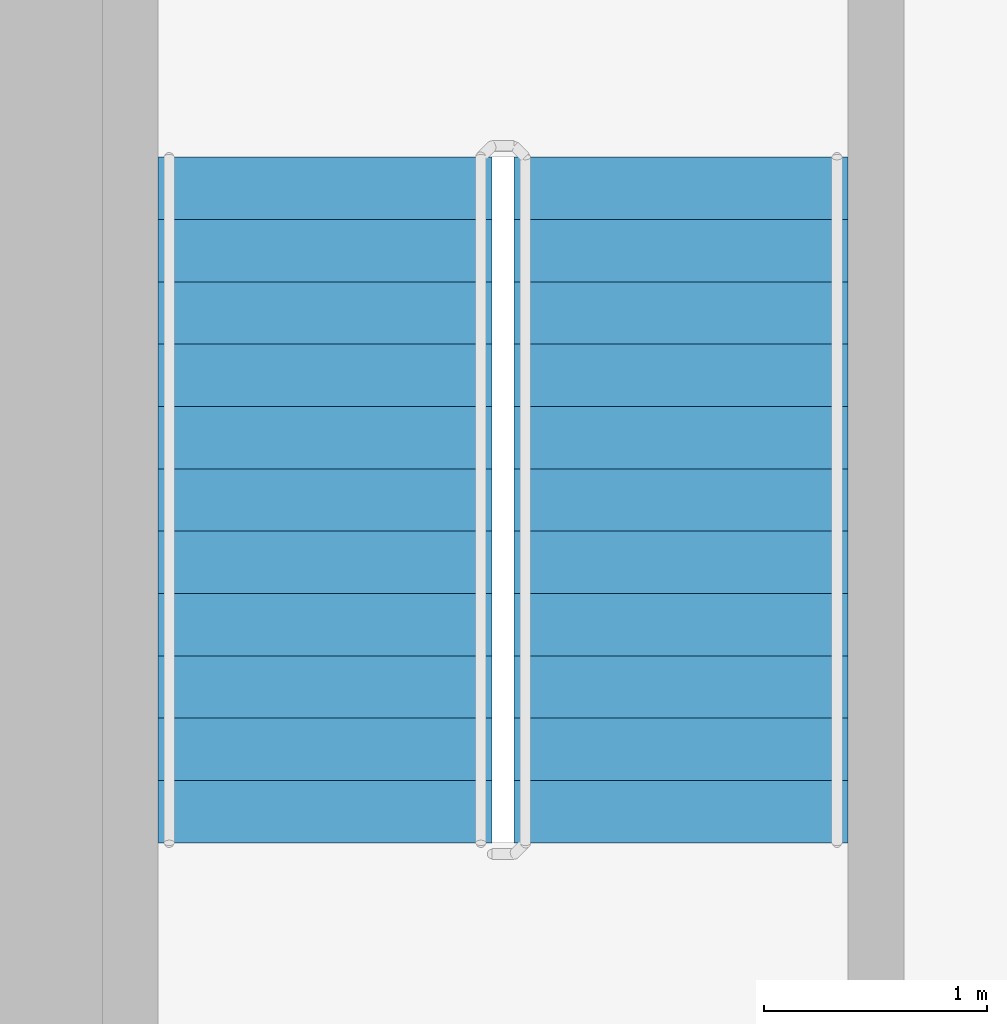
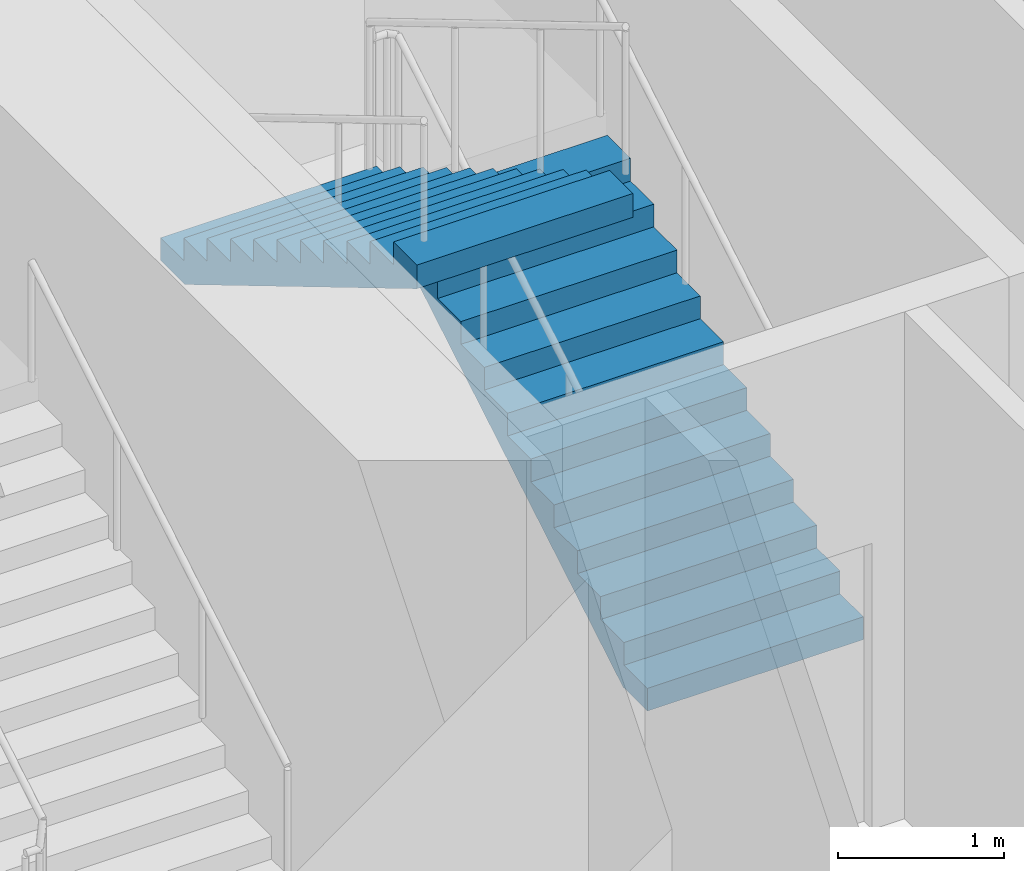
# One storey, part 17 of 27: 2 stair flights, 1 element without a shape of its own.
"""IFC4 building model written with IfcOpenShell, lengths in metres."""

from ifc_helpers import new_model, si_unit, direction, frame, origin, place, context, subcontext, project, spatial, triangles, source, transform, mapped, material, type_object, element, aggregate, save


model = new_model("IFC4")

# Units and contexts
model_context = context("Model", 3, precision=1e-05, world=origin(), true_north=direction((0.0, 1.0)))
body_context = subcontext(model_context, "Body", "Model", "MODEL_VIEW")
ifc_project = project(units=[si_unit("LENGTHUNIT", "METRE"), si_unit("AREAUNIT", "SQUARE_METRE"), si_unit("VOLUMEUNIT", "CUBIC_METRE"), si_unit("PLANEANGLEUNIT", "RADIAN"), si_unit("MASSUNIT", "GRAM", prefix="KILO")], contexts=[model_context])

# Site, building, storey
site_placement = place(None, origin())
site = spatial("IfcSite", under=ifc_project, at=site_placement, CompositionType="ELEMENT")
building_placement = place(site_placement, origin())
building = spatial("IfcBuilding", under=site, at=building_placement, Name="Kilnfold Tower and Market Hall", CompositionType="ELEMENT")
storey_placement = place(building_placement, frame((0.0, 0.0, 47.0)))
storey = spatial("IfcBuildingStorey", under=building, at=storey_placement, Name="L10", CompositionType="ELEMENT", Elevation=47.0)

# Stair, stair flights
ifc_material_1 = material(Name="Concrete C40/50", Category="concrete")
stair_type = type_object("IfcStairType", Name="CORE STAIR 1500", PredefinedType="HALF_TURN_STAIR", material=ifc_material_1)
stair_placement = place(storey_placement, origin())
stair = element("IfcStair", 1, at=stair_placement, inside=storey, type_object=stair_type, Name="L10 ST5", PredefinedType="HALF_TURN_STAIR")
ifc_material_2 = material(Name="Concrete C40/50", Category="concrete")
stair_flight_type = type_object("IfcStairFlightType", Name="CORE STAIR FLIGHT 1500", PredefinedType="STRAIGHT", material=ifc_material_2)
shared_shape = source(origin(), body_context, "Body", "Tessellation", [
    triangles([(0.0, 0.75, 0.0), (0.0, 0.65625, 0.0), (0.0, 0.5625, 0.0), (0.0, 0.46875, 0.0), (0.0, 0.375, 0.0), (0.0, 0.28125, 0.0), (0.0, 0.1875, 0.0), (0.0, 0.09375, 0.0), (0.0, 0.0, 0.0), (0.0, -0.09375, 0.0), (0.0, -0.1875, 0.0), (0.0, -0.28125, 0.0), (0.0, -0.375, 0.0), (0.0, -0.46875, 0.0), (0.0, -0.5625, 0.0), (0.0, -0.65625, 0.0), (0.0, -0.75, 0.0), (0.0, 0.75, 0.166748046875), (0.0, 0.65625, 0.166748046875), (0.0, 0.5625, 0.166748046875), (0.0, 0.46875, 0.166748046875), (0.0, 0.375, 0.166748046875), (0.0, 0.28125, 0.166748046875), (0.0, 0.1875, 0.166748046875), (0.0, 0.09375, 0.166748046875), (0.0, 0.0, 0.166748046875), (0.0, -0.09375, 0.166748046875), (0.0, -0.1875, 0.166748046875), (0.0, -0.28125, 0.166748046875), (0.0, -0.375, 0.166748046875), (0.0, -0.46875, 0.166748046875), (0.0, -0.5625, 0.166748046875), (0.0, -0.65625, 0.166748046875), (0.0, -0.75, 0.166748046875), (0.280029296875, 0.75, 0.166748046875), (0.280029296875, 0.65625, 0.166748046875), (0.280029296875, 0.5625, 0.166748046875), (0.280029296875, 0.46875, 0.166748046875), (0.280029296875, 0.375, 0.166748046875), (0.280029296875, 0.28125, 0.166748046875), (0.280029296875, 0.1875, 0.166748046875), (0.280029296875, 0.09375, 0.166748046875), (0.280029296875, 0.0, 0.166748046875), (0.280029296875, -0.09375, 0.166748046875), (0.280029296875, -0.1875, 0.166748046875), (0.280029296875, -0.28125, 0.166748046875), (0.280029296875, -0.375, 0.166748046875), (0.280029296875, -0.46875, 0.166748046875), (0.280029296875, -0.5625, 0.166748046875), (0.280029296875, -0.65625, 0.166748046875), (0.280029296875, -0.75, 0.166748046875), (0.280029296875, 0.75, 0.333251953125), (0.280029296875, 0.65625, 0.333251953125), (0.280029296875, 0.5625, 0.333251953125), (0.280029296875, 0.46875, 0.333251953125), (0.280029296875, 0.375, 0.333251953125), (0.280029296875, 0.28125, 0.333251953125), (0.280029296875, 0.1875, 0.333251953125), (0.280029296875, 0.09375, 0.333251953125), (0.280029296875, 0.0, 0.333251953125), (0.280029296875, -0.09375, 0.333251953125), (0.280029296875, -0.1875, 0.333251953125), (0.280029296875, -0.28125, 0.333251953125), (0.280029296875, -0.375, 0.333251953125), (0.280029296875, -0.46875, 0.333251953125), (0.280029296875, -0.5625, 0.333251953125), (0.280029296875, -0.65625, 0.333251953125), (0.280029296875, -0.75, 0.333251953125), (0.56005859375, 0.75, 0.333251953125), (0.56005859375, 0.65625, 0.333251953125), (0.56005859375, 0.5625, 0.333251953125), (0.56005859375, 0.46875, 0.333251953125), (0.56005859375, 0.375, 0.333251953125), (0.56005859375, 0.28125, 0.333251953125), (0.56005859375, 0.1875, 0.333251953125), (0.56005859375, 0.09375, 0.333251953125), (0.56005859375, 0.0, 0.333251953125), (0.56005859375, -0.09375, 0.333251953125), (0.56005859375, -0.1875, 0.333251953125), (0.56005859375, -0.28125, 0.333251953125), (0.56005859375, -0.375, 0.333251953125), (0.56005859375, -0.46875, 0.333251953125), (0.56005859375, -0.5625, 0.333251953125), (0.56005859375, -0.65625, 0.333251953125), (0.56005859375, -0.75, 0.333251953125), (0.56005859375, 0.75, 0.5), (0.56005859375, 0.65625, 0.5), (0.56005859375, 0.5625, 0.5), (0.56005859375, 0.46875, 0.5), (0.56005859375, 0.375, 0.5), (0.56005859375, 0.28125, 0.5), (0.56005859375, 0.1875, 0.5), (0.56005859375, 0.09375, 0.5), (0.56005859375, 0.0, 0.5), (0.56005859375, -0.09375, 0.5), (0.56005859375, -0.1875, 0.5), (0.56005859375, -0.28125, 0.5), (0.56005859375, -0.375, 0.5), (0.56005859375, -0.46875, 0.5), (0.56005859375, -0.5625, 0.5), (0.56005859375, -0.65625, 0.5), (0.56005859375, -0.75, 0.5), (0.840087890625, 0.75, 0.5), (0.840087890625, 0.65625, 0.5), (0.840087890625, 0.5625, 0.5), (0.840087890625, 0.46875, 0.5), (0.840087890625, 0.375, 0.5), (0.840087890625, 0.28125, 0.5), (0.840087890625, 0.1875, 0.5), (0.840087890625, 0.09375, 0.5), (0.840087890625, 0.0, 0.5), (0.840087890625, -0.09375, 0.5), (0.840087890625, -0.1875, 0.5), (0.840087890625, -0.28125, 0.5), (0.840087890625, -0.375, 0.5), (0.840087890625, -0.46875, 0.5), (0.840087890625, -0.5625, 0.5), (0.840087890625, -0.65625, 0.5), (0.840087890625, -0.75, 0.5), (0.840087890625, 0.75, 0.666748046875), (0.840087890625, 0.65625, 0.666748046875), (0.840087890625, 0.5625, 0.666748046875), (0.840087890625, 0.46875, 0.666748046875), (0.840087890625, 0.375, 0.666748046875), (0.840087890625, 0.28125, 0.666748046875), (0.840087890625, 0.1875, 0.666748046875), (0.840087890625, 0.09375, 0.666748046875), (0.840087890625, 0.0, 0.666748046875), (0.840087890625, -0.09375, 0.666748046875), (0.840087890625, -0.1875, 0.666748046875), (0.840087890625, -0.28125, 0.666748046875), (0.840087890625, -0.375, 0.666748046875), (0.840087890625, -0.46875, 0.666748046875), (0.840087890625, -0.5625, 0.666748046875), (0.840087890625, -0.65625, 0.666748046875), (0.840087890625, -0.75, 0.666748046875), (1.1201171875, 0.75, 0.666748046875), (1.1201171875, 0.65625, 0.666748046875), (1.1201171875, 0.5625, 0.666748046875), (1.1201171875, 0.46875, 0.666748046875), (1.1201171875, 0.375, 0.666748046875), (1.1201171875, 0.28125, 0.666748046875), (1.1201171875, 0.1875, 0.666748046875), (1.1201171875, 0.09375, 0.666748046875), (1.1201171875, 0.0, 0.666748046875), (1.1201171875, -0.09375, 0.666748046875), (1.1201171875, -0.1875, 0.666748046875), (1.1201171875, -0.28125, 0.666748046875), (1.1201171875, -0.375, 0.666748046875), (1.1201171875, -0.46875, 0.666748046875), (1.1201171875, -0.5625, 0.666748046875), (1.1201171875, -0.65625, 0.666748046875), (1.1201171875, -0.75, 0.666748046875), (1.1201171875, 0.75, 0.833251953125), (1.1201171875, 0.65625, 0.833251953125), (1.1201171875, 0.5625, 0.833251953125), (1.1201171875, 0.46875, 0.833251953125), (1.1201171875, 0.375, 0.833251953125), (1.1201171875, 0.28125, 0.833251953125), (1.1201171875, 0.1875, 0.833251953125), (1.1201171875, 0.09375, 0.833251953125), (1.1201171875, 0.0, 0.833251953125), (1.1201171875, -0.09375, 0.833251953125), (1.1201171875, -0.1875, 0.833251953125), (1.1201171875, -0.28125, 0.833251953125), (1.1201171875, -0.375, 0.833251953125), (1.1201171875, -0.46875, 0.833251953125), (1.1201171875, -0.5625, 0.833251953125), (1.1201171875, -0.65625, 0.833251953125), (1.1201171875, -0.75, 0.833251953125), (1.39990234375, 0.75, 0.833251953125), (1.39990234375, 0.65625, 0.833251953125), (1.39990234375, 0.5625, 0.833251953125), (1.39990234375, 0.46875, 0.833251953125), (1.39990234375, 0.375, 0.833251953125), (1.39990234375, 0.28125, 0.833251953125), (1.39990234375, 0.1875, 0.833251953125), (1.39990234375, 0.09375, 0.833251953125), (1.39990234375, 0.0, 0.833251953125), (1.39990234375, -0.09375, 0.833251953125), (1.39990234375, -0.1875, 0.833251953125), (1.39990234375, -0.28125, 0.833251953125), (1.39990234375, -0.375, 0.833251953125), (1.39990234375, -0.46875, 0.833251953125), (1.39990234375, -0.5625, 0.833251953125), (1.39990234375, -0.65625, 0.833251953125), (1.39990234375, -0.75, 0.833251953125), (1.39990234375, 0.75, 1.0), (1.39990234375, 0.65625, 1.0), (1.39990234375, 0.5625, 1.0), (1.39990234375, 0.46875, 1.0), (1.39990234375, 0.375, 1.0), (1.39990234375, 0.28125, 1.0), (1.39990234375, 0.1875, 1.0), (1.39990234375, 0.09375, 1.0), (1.39990234375, 0.0, 1.0), (1.39990234375, -0.09375, 1.0), (1.39990234375, -0.1875, 1.0), (1.39990234375, -0.28125, 1.0), (1.39990234375, -0.375, 1.0), (1.39990234375, -0.46875, 1.0), (1.39990234375, -0.5625, 1.0), (1.39990234375, -0.65625, 1.0), (1.39990234375, -0.75, 1.0), (1.679931640625, 0.75, 1.0), (1.679931640625, 0.65625, 1.0), (1.679931640625, 0.5625, 1.0), (1.679931640625, 0.46875, 1.0), (1.679931640625, 0.375, 1.0), (1.679931640625, 0.28125, 1.0), (1.679931640625, 0.1875, 1.0), (1.679931640625, 0.09375, 1.0), (1.679931640625, 0.0, 1.0), (1.679931640625, -0.09375, 1.0), (1.679931640625, -0.1875, 1.0), (1.679931640625, -0.28125, 1.0), (1.679931640625, -0.375, 1.0), (1.679931640625, -0.46875, 1.0), (1.679931640625, -0.5625, 1.0), (1.679931640625, -0.65625, 1.0), (1.679931640625, -0.75, 1.0), (1.679931640625, 0.75, 1.166748046875), (1.679931640625, 0.65625, 1.166748046875), (1.679931640625, 0.5625, 1.166748046875), (1.679931640625, 0.46875, 1.166748046875), (1.679931640625, 0.375, 1.166748046875), (1.679931640625, 0.28125, 1.166748046875), (1.679931640625, 0.1875, 1.166748046875), (1.679931640625, 0.09375, 1.166748046875), (1.679931640625, 0.0, 1.166748046875), (1.679931640625, -0.09375, 1.166748046875), (1.679931640625, -0.1875, 1.166748046875), (1.679931640625, -0.28125, 1.166748046875), (1.679931640625, -0.375, 1.166748046875), (1.679931640625, -0.46875, 1.166748046875), (1.679931640625, -0.5625, 1.166748046875), (1.679931640625, -0.65625, 1.166748046875), (1.679931640625, -0.75, 1.166748046875), (1.9599609375, 0.75, 1.166748046875), (1.9599609375, 0.65625, 1.166748046875), (1.9599609375, 0.5625, 1.166748046875), (1.9599609375, 0.46875, 1.166748046875), (1.9599609375, 0.375, 1.166748046875), (1.9599609375, 0.28125, 1.166748046875), (1.9599609375, 0.1875, 1.166748046875), (1.9599609375, 0.09375, 1.166748046875), (1.9599609375, 0.0, 1.166748046875), (1.9599609375, -0.09375, 1.166748046875), (1.9599609375, -0.1875, 1.166748046875), (1.9599609375, -0.28125, 1.166748046875), (1.9599609375, -0.375, 1.166748046875), (1.9599609375, -0.46875, 1.166748046875), (1.9599609375, -0.5625, 1.166748046875), (1.9599609375, -0.65625, 1.166748046875), (1.9599609375, -0.75, 1.166748046875), (1.9599609375, 0.75, 1.333251953125), (1.9599609375, 0.65625, 1.333251953125), (1.9599609375, 0.5625, 1.333251953125), (1.9599609375, 0.46875, 1.333251953125), (1.9599609375, 0.375, 1.333251953125), (1.9599609375, 0.28125, 1.333251953125), (1.9599609375, 0.1875, 1.333251953125), (1.9599609375, 0.09375, 1.333251953125), (1.9599609375, 0.0, 1.333251953125), (1.9599609375, -0.09375, 1.333251953125), (1.9599609375, -0.1875, 1.333251953125), (1.9599609375, -0.28125, 1.333251953125), (1.9599609375, -0.375, 1.333251953125), (1.9599609375, -0.46875, 1.333251953125), (1.9599609375, -0.5625, 1.333251953125), (1.9599609375, -0.65625, 1.333251953125), (1.9599609375, -0.75, 1.333251953125), (2.239990234375, 0.75, 1.333251953125), (2.239990234375, 0.65625, 1.333251953125), (2.239990234375, 0.5625, 1.333251953125), (2.239990234375, 0.46875, 1.333251953125), (2.239990234375, 0.375, 1.333251953125), (2.239990234375, 0.28125, 1.333251953125), (2.239990234375, 0.1875, 1.333251953125), (2.239990234375, 0.09375, 1.333251953125), (2.239990234375, 0.0, 1.333251953125), (2.239990234375, -0.09375, 1.333251953125), (2.239990234375, -0.1875, 1.333251953125), (2.239990234375, -0.28125, 1.333251953125), (2.239990234375, -0.375, 1.333251953125), (2.239990234375, -0.46875, 1.333251953125), (2.239990234375, -0.5625, 1.333251953125), (2.239990234375, -0.65625, 1.333251953125), (2.239990234375, -0.75, 1.333251953125), (2.239990234375, 0.75, 1.5), (2.239990234375, 0.65625, 1.5), (2.239990234375, 0.5625, 1.5), (2.239990234375, 0.46875, 1.5), (2.239990234375, 0.375, 1.5), (2.239990234375, 0.28125, 1.5), (2.239990234375, 0.1875, 1.5), (2.239990234375, 0.09375, 1.5), (2.239990234375, 0.0, 1.5), (2.239990234375, -0.09375, 1.5), (2.239990234375, -0.1875, 1.5), (2.239990234375, -0.28125, 1.5), (2.239990234375, -0.375, 1.5), (2.239990234375, -0.46875, 1.5), (2.239990234375, -0.5625, 1.5), (2.239990234375, -0.65625, 1.5), (2.239990234375, -0.75, 1.5), (2.52001953125, 0.75, 1.5), (2.52001953125, 0.65625, 1.5), (2.52001953125, 0.5625, 1.5), (2.52001953125, 0.46875, 1.5), (2.52001953125, 0.375, 1.5), (2.52001953125, 0.28125, 1.5), (2.52001953125, 0.1875, 1.5), (2.52001953125, 0.09375, 1.5), (2.52001953125, 0.0, 1.5), (2.52001953125, -0.09375, 1.5), (2.52001953125, -0.1875, 1.5), (2.52001953125, -0.28125, 1.5), (2.52001953125, -0.375, 1.5), (2.52001953125, -0.46875, 1.5), (2.52001953125, -0.5625, 1.5), (2.52001953125, -0.65625, 1.5), (2.52001953125, -0.75, 1.5), (2.52001953125, 0.75, 1.666748046875), (2.52001953125, 0.65625, 1.666748046875), (2.52001953125, 0.5625, 1.666748046875), (2.52001953125, 0.46875, 1.666748046875), (2.52001953125, 0.375, 1.666748046875), (2.52001953125, 0.28125, 1.666748046875), (2.52001953125, 0.1875, 1.666748046875), (2.52001953125, 0.09375, 1.666748046875), (2.52001953125, 0.0, 1.666748046875), (2.52001953125, -0.09375, 1.666748046875), (2.52001953125, -0.1875, 1.666748046875), (2.52001953125, -0.28125, 1.666748046875), (2.52001953125, -0.375, 1.666748046875), (2.52001953125, -0.46875, 1.666748046875), (2.52001953125, -0.5625, 1.666748046875), (2.52001953125, -0.65625, 1.666748046875), (2.52001953125, -0.75, 1.666748046875), (2.800048828125, 0.75, 1.666748046875), (2.800048828125, 0.65625, 1.666748046875), (2.800048828125, 0.5625, 1.666748046875), (2.800048828125, 0.46875, 1.666748046875), (2.800048828125, 0.375, 1.666748046875), (2.800048828125, 0.28125, 1.666748046875), (2.800048828125, 0.1875, 1.666748046875), (2.800048828125, 0.09375, 1.666748046875), (2.800048828125, 0.0, 1.666748046875), (2.800048828125, -0.09375, 1.666748046875), (2.800048828125, -0.1875, 1.666748046875), (2.800048828125, -0.28125, 1.666748046875), (2.800048828125, -0.375, 1.666748046875), (2.800048828125, -0.46875, 1.666748046875), (2.800048828125, -0.5625, 1.666748046875), (2.800048828125, -0.65625, 1.666748046875), (2.800048828125, -0.75, 1.666748046875), (2.800048828125, 0.75, 1.833251953125), (2.800048828125, 0.65625, 1.833251953125), (2.800048828125, 0.5625, 1.833251953125), (2.800048828125, 0.46875, 1.833251953125), (2.800048828125, 0.375, 1.833251953125), (2.800048828125, 0.28125, 1.833251953125), (2.800048828125, 0.1875, 1.833251953125), (2.800048828125, 0.09375, 1.833251953125), (2.800048828125, 0.0, 1.833251953125), (2.800048828125, -0.09375, 1.833251953125), (2.800048828125, -0.1875, 1.833251953125), (2.800048828125, -0.28125, 1.833251953125), (2.800048828125, -0.375, 1.833251953125), (2.800048828125, -0.46875, 1.833251953125), (2.800048828125, -0.5625, 1.833251953125), (2.800048828125, -0.65625, 1.833251953125), (2.800048828125, -0.75, 1.833251953125), (3.080078125, 0.75, 1.833251953125), (3.080078125, 0.65625, 1.833251953125), (3.080078125, 0.5625, 1.833251953125), (3.080078125, 0.46875, 1.833251953125), (3.080078125, 0.375, 1.833251953125), (3.080078125, 0.28125, 1.833251953125), (3.080078125, 0.1875, 1.833251953125), (3.080078125, 0.09375, 1.833251953125), (3.080078125, 0.0, 1.833251953125), (3.080078125, -0.09375, 1.833251953125), (3.080078125, -0.1875, 1.833251953125), (3.080078125, -0.28125, 1.833251953125), (3.080078125, -0.375, 1.833251953125), (3.080078125, -0.46875, 1.833251953125), (3.080078125, -0.5625, 1.833251953125), (3.080078125, -0.65625, 1.833251953125), (3.080078125, -0.75, 1.833251953125), (3.080078125, 0.75, 1.658935546875), (3.080078125, 0.65625, 1.658935546875), (3.080078125, 0.5625, 1.658935546875), (3.080078125, 0.46875, 1.658935546875), (3.080078125, 0.375, 1.658935546875), (3.080078125, 0.28125, 1.658935546875), (3.080078125, 0.1875, 1.658935546875), (3.080078125, 0.09375, 1.658935546875), (3.080078125, 0.0, 1.658935546875), (3.080078125, -0.09375, 1.658935546875), (3.080078125, -0.1875, 1.658935546875), (3.080078125, -0.28125, 1.658935546875), (3.080078125, -0.375, 1.658935546875), (3.080078125, -0.46875, 1.658935546875), (3.080078125, -0.5625, 1.658935546875), (3.080078125, -0.65625, 1.658935546875), (3.080078125, -0.75, 1.658935546875), (0.29296875, 0.75, 0.0), (0.29296875, 0.65625, 0.0), (0.29296875, 0.5625, 0.0), (0.29296875, 0.46875, 0.0), (0.29296875, 0.375, 0.0), (0.29296875, 0.28125, 0.0), (0.29296875, 0.1875, 0.0), (0.29296875, 0.09375, 0.0), (0.29296875, 0.0, 0.0), (0.29296875, -0.09375, 0.0), (0.29296875, -0.1875, 0.0), (0.29296875, -0.28125, 0.0), (0.29296875, -0.375, 0.0), (0.29296875, -0.46875, 0.0), (0.29296875, -0.5625, 0.0), (0.29296875, -0.65625, 0.0), (0.29296875, -0.75, 0.0)], [[1, 392, 409], [17, 425, 408], [392, 358, 375], [408, 391, 374], [392, 341, 358], [408, 374, 357], [392, 324, 341], [408, 357, 340], [392, 307, 324], [408, 340, 323], [307, 273, 290], [323, 306, 289], [392, 273, 307], [408, 323, 289], [273, 239, 256], [289, 272, 255], [392, 239, 273], [408, 289, 255], [239, 205, 222], [255, 238, 221], [392, 205, 239], [408, 255, 221], [205, 171, 188], [221, 204, 187], [392, 171, 205], [408, 221, 187], [171, 137, 154], [187, 170, 153], [392, 137, 171], [408, 187, 153], [137, 103, 120], [153, 136, 119], [392, 103, 137], [408, 153, 119], [103, 69, 86], [119, 102, 85], [392, 69, 103], [408, 119, 85], [1, 69, 392], [17, 408, 85], [69, 35, 52], [85, 68, 51], [1, 35, 69], [17, 85, 51], [35, 1, 18], [51, 34, 17], [1, 19, 18], [1, 2, 19], [2, 20, 19], [2, 3, 20], [3, 21, 20], [3, 4, 21], [4, 22, 21], [4, 5, 22], [5, 23, 22], [5, 6, 23], [6, 24, 23], [6, 7, 24], [7, 25, 24], [7, 8, 25], [8, 26, 25], [8, 9, 26], [9, 27, 26], [9, 10, 27], [10, 28, 27], [10, 11, 28], [11, 29, 28], [11, 12, 29], [12, 30, 29], [12, 13, 30], [13, 31, 30], [13, 14, 31], [14, 32, 31], [14, 15, 32], [15, 33, 32], [15, 16, 33], [16, 34, 33], [16, 17, 34], [18, 36, 35], [18, 19, 36], [19, 37, 36], [19, 20, 37], [20, 38, 37], [20, 21, 38], [21, 39, 38], [21, 22, 39], [22, 40, 39], [22, 23, 40], [23, 41, 40], [23, 24, 41], [24, 42, 41], [24, 25, 42], [25, 43, 42], [25, 26, 43], [26, 44, 43], [26, 27, 44], [27, 45, 44], [27, 28, 45], [28, 46, 45], [28, 29, 46], [29, 47, 46], [29, 30, 47], [30, 48, 47], [30, 31, 48], [31, 49, 48], [31, 32, 49], [32, 50, 49], [32, 33, 50], [33, 51, 50], [33, 34, 51], [35, 53, 52], [35, 36, 53], [36, 54, 53], [36, 37, 54], [37, 55, 54], [37, 38, 55], [38, 56, 55], [38, 39, 56], [39, 57, 56], [39, 40, 57], [40, 58, 57], [40, 41, 58], [41, 59, 58], [41, 42, 59], [42, 60, 59], [42, 43, 60], [43, 61, 60], [43, 44, 61], [44, 62, 61], [44, 45, 62], [45, 63, 62], [45, 46, 63], [46, 64, 63], [46, 47, 64], [47, 65, 64], [47, 48, 65], [48, 66, 65], [48, 49, 66], [49, 67, 66], [49, 50, 67], [50, 68, 67], [50, 51, 68], [52, 70, 69], [52, 53, 70], [53, 71, 70], [53, 54, 71], [54, 72, 71], [54, 55, 72], [55, 73, 72], [55, 56, 73], [56, 74, 73], [56, 57, 74], [57, 75, 74], [57, 58, 75], [58, 76, 75], [58, 59, 76], [59, 77, 76], [59, 60, 77], [60, 78, 77], [60, 61, 78], [61, 79, 78], [61, 62, 79], [62, 80, 79], [62, 63, 80], [63, 81, 80], [63, 64, 81], [64, 82, 81], [64, 65, 82], [65, 83, 82], [65, 66, 83], [66, 84, 83], [66, 67, 84], [67, 85, 84], [67, 68, 85], [69, 87, 86], [69, 70, 87], [70, 88, 87], [70, 71, 88], [71, 89, 88], [71, 72, 89], [72, 90, 89], [72, 73, 90], [73, 91, 90], [73, 74, 91], [74, 92, 91], [74, 75, 92], [75, 93, 92], [75, 76, 93], [76, 94, 93], [76, 77, 94], [77, 95, 94], [77, 78, 95], [78, 96, 95], [78, 79, 96], [79, 97, 96], [79, 80, 97], [80, 98, 97], [80, 81, 98], [81, 99, 98], [81, 82, 99], [82, 100, 99], [82, 83, 100], [83, 101, 100], [83, 84, 101], [84, 102, 101], [84, 85, 102], [86, 104, 103], [86, 87, 104], [87, 105, 104], [87, 88, 105], [88, 106, 105], [88, 89, 106], [89, 107, 106], [89, 90, 107], [90, 108, 107], [90, 91, 108], [91, 109, 108], [91, 92, 109], [92, 110, 109], [92, 93, 110], [93, 111, 110], [93, 94, 111], [94, 112, 111], [94, 95, 112], [95, 113, 112], [95, 96, 113], [96, 114, 113], [96, 97, 114], [97, 115, 114], [97, 98, 115], [98, 116, 115], [98, 99, 116], [99, 117, 116], [99, 100, 117], [100, 118, 117], [100, 101, 118], [101, 119, 118], [101, 102, 119], [103, 121, 120], [103, 104, 121], [104, 122, 121], [104, 105, 122], [105, 123, 122], [105, 106, 123], [106, 124, 123], [106, 107, 124], [107, 125, 124], [107, 108, 125], [108, 126, 125], [108, 109, 126], [109, 127, 126], [109, 110, 127], [110, 128, 127], [110, 111, 128], [111, 129, 128], [111, 112, 129], [112, 130, 129], [112, 113, 130], [113, 131, 130], [113, 114, 131], [114, 132, 131], [114, 115, 132], [115, 133, 132], [115, 116, 133], [116, 134, 133], [116, 117, 134], [117, 135, 134], [117, 118, 135], [118, 136, 135], [118, 119, 136], [120, 138, 137], [120, 121, 138], [121, 139, 138], [121, 122, 139], [122, 140, 139], [122, 123, 140], [123, 141, 140], [123, 124, 141], [124, 142, 141], [124, 125, 142], [125, 143, 142], [125, 126, 143], [126, 144, 143], [126, 127, 144], [127, 145, 144], [127, 128, 145], [128, 146, 145], [128, 129, 146], [129, 147, 146], [129, 130, 147], [130, 148, 147], [130, 131, 148], [131, 149, 148], [131, 132, 149], [132, 150, 149], [132, 133, 150], [133, 151, 150], [133, 134, 151], [134, 152, 151], [134, 135, 152], [135, 153, 152], [135, 136, 153], [137, 155, 154], [137, 138, 155], [138, 156, 155], [138, 139, 156], [139, 157, 156], [139, 140, 157], [140, 158, 157], [140, 141, 158], [141, 159, 158], [141, 142, 159], [142, 160, 159], [142, 143, 160], [143, 161, 160], [143, 144, 161], [144, 162, 161], [144, 145, 162], [145, 163, 162], [145, 146, 163], [146, 164, 163], [146, 147, 164], [147, 165, 164], [147, 148, 165], [148, 166, 165], [148, 149, 166], [149, 167, 166], [149, 150, 167], [150, 168, 167], [150, 151, 168], [151, 169, 168], [151, 152, 169], [152, 170, 169], [152, 153, 170], [154, 172, 171], [154, 155, 172], [155, 173, 172], [155, 156, 173], [156, 174, 173], [156, 157, 174], [157, 175, 174], [157, 158, 175], [158, 176, 175], [158, 159, 176], [159, 177, 176], [159, 160, 177], [160, 178, 177], [160, 161, 178], [161, 179, 178], [161, 162, 179], [162, 180, 179], [162, 163, 180], [163, 181, 180], [163, 164, 181], [164, 182, 181], [164, 165, 182], [165, 183, 182], [165, 166, 183], [166, 184, 183], [166, 167, 184], [167, 185, 184], [167, 168, 185], [168, 186, 185], [168, 169, 186], [169, 187, 186], [169, 170, 187], [171, 189, 188], [171, 172, 189], [172, 190, 189], [172, 173, 190], [173, 191, 190], [173, 174, 191], [174, 192, 191], [174, 175, 192], [175, 193, 192], [175, 176, 193], [176, 194, 193], [176, 177, 194], [177, 195, 194], [177, 178, 195], [178, 196, 195], [178, 179, 196], [179, 197, 196], [179, 180, 197], [180, 198, 197], [180, 181, 198], [181, 199, 198], [181, 182, 199], [182, 200, 199], [182, 183, 200], [183, 201, 200], [183, 184, 201], [184, 202, 201], [184, 185, 202], [185, 203, 202], [185, 186, 203], [186, 204, 203], [186, 187, 204], [188, 206, 205], [188, 189, 206], [189, 207, 206], [189, 190, 207], [190, 208, 207], [190, 191, 208], [191, 209, 208], [191, 192, 209], [192, 210, 209], [192, 193, 210], [193, 211, 210], [193, 194, 211], [194, 212, 211], [194, 195, 212], [195, 213, 212], [195, 196, 213], [196, 214, 213], [196, 197, 214], [197, 215, 214], [197, 198, 215], [198, 216, 215], [198, 199, 216], [199, 217, 216], [199, 200, 217], [200, 218, 217], [200, 201, 218], [201, 219, 218], [201, 202, 219], [202, 220, 219], [202, 203, 220], [203, 221, 220], [203, 204, 221], [205, 223, 222], [205, 206, 223], [206, 224, 223], [206, 207, 224], [207, 225, 224], [207, 208, 225], [208, 226, 225], [208, 209, 226], [209, 227, 226], [209, 210, 227], [210, 228, 227], [210, 211, 228], [211, 229, 228], [211, 212, 229], [212, 230, 229], [212, 213, 230], [213, 231, 230], [213, 214, 231], [214, 232, 231], [214, 215, 232], [215, 233, 232], [215, 216, 233], [216, 234, 233], [216, 217, 234], [217, 235, 234], [217, 218, 235], [218, 236, 235], [218, 219, 236], [219, 237, 236], [219, 220, 237], [220, 238, 237], [220, 221, 238], [222, 240, 239], [222, 223, 240], [223, 241, 240], [223, 224, 241], [224, 242, 241], [224, 225, 242], [225, 243, 242], [225, 226, 243], [226, 244, 243], [226, 227, 244], [227, 245, 244], [227, 228, 245], [228, 246, 245], [228, 229, 246], [229, 247, 246], [229, 230, 247], [230, 248, 247], [230, 231, 248], [231, 249, 248], [231, 232, 249], [232, 250, 249], [232, 233, 250], [233, 251, 250], [233, 234, 251], [234, 252, 251], [234, 235, 252], [235, 253, 252], [235, 236, 253], [236, 254, 253], [236, 237, 254], [237, 255, 254], [237, 238, 255], [239, 257, 256], [239, 240, 257], [240, 258, 257], [240, 241, 258], [241, 259, 258], [241, 242, 259], [242, 260, 259], [242, 243, 260], [243, 261, 260], [243, 244, 261], [244, 262, 261], [244, 245, 262], [245, 263, 262], [245, 246, 263], [246, 264, 263], [246, 247, 264], [247, 265, 264], [247, 248, 265], [248, 266, 265], [248, 249, 266], [249, 267, 266], [249, 250, 267], [250, 268, 267], [250, 251, 268], [251, 269, 268], [251, 252, 269], [252, 270, 269], [252, 253, 270], [253, 271, 270], [253, 254, 271], [254, 272, 271], [254, 255, 272], [256, 274, 273], [256, 257, 274], [257, 275, 274], [257, 258, 275], [258, 276, 275], [258, 259, 276], [259, 277, 276], [259, 260, 277], [260, 278, 277], [260, 261, 278], [261, 279, 278], [261, 262, 279], [262, 280, 279], [262, 263, 280], [263, 281, 280], [263, 264, 281], [264, 282, 281], [264, 265, 282], [265, 283, 282], [265, 266, 283], [266, 284, 283], [266, 267, 284], [267, 285, 284], [267, 268, 285], [268, 286, 285], [268, 269, 286], [269, 287, 286], [269, 270, 287], [270, 288, 287], [270, 271, 288], [271, 289, 288], [271, 272, 289], [273, 291, 290], [273, 274, 291], [274, 292, 291], [274, 275, 292], [275, 293, 292], [275, 276, 293], [276, 294, 293], [276, 277, 294], [277, 295, 294], [277, 278, 295], [278, 296, 295], [278, 279, 296], [279, 297, 296], [279, 280, 297], [280, 298, 297], [280, 281, 298], [281, 299, 298], [281, 282, 299], [282, 300, 299], [282, 283, 300], [283, 301, 300], [283, 284, 301], [284, 302, 301], [284, 285, 302], [285, 303, 302], [285, 286, 303], [286, 304, 303], [286, 287, 304], [287, 305, 304], [287, 288, 305], [288, 306, 305], [288, 289, 306], [290, 308, 307], [290, 291, 308], [291, 309, 308], [291, 292, 309], [292, 310, 309], [292, 293, 310], [293, 311, 310], [293, 294, 311], [294, 312, 311], [294, 295, 312], [295, 313, 312], [295, 296, 313], [296, 314, 313], [296, 297, 314], [297, 315, 314], [297, 298, 315], [298, 316, 315], [298, 299, 316], [299, 317, 316], [299, 300, 317], [300, 318, 317], [300, 301, 318], [301, 319, 318], [301, 302, 319], [302, 320, 319], [302, 303, 320], [303, 321, 320], [303, 304, 321], [304, 322, 321], [304, 305, 322], [305, 323, 322], [305, 306, 323], [307, 325, 324], [307, 308, 325], [308, 326, 325], [308, 309, 326], [309, 327, 326], [309, 310, 327], [310, 328, 327], [310, 311, 328], [311, 329, 328], [311, 312, 329], [312, 330, 329], [312, 313, 330], [313, 331, 330], [313, 314, 331], [314, 332, 331], [314, 315, 332], [315, 333, 332], [315, 316, 333], [316, 334, 333], [316, 317, 334], [317, 335, 334], [317, 318, 335], [318, 336, 335], [318, 319, 336], [319, 337, 336], [319, 320, 337], [320, 338, 337], [320, 321, 338], [321, 339, 338], [321, 322, 339], [322, 340, 339], [322, 323, 340], [324, 342, 341], [324, 325, 342], [325, 343, 342], [325, 326, 343], [326, 344, 343], [326, 327, 344], [327, 345, 344], [327, 328, 345], [328, 346, 345], [328, 329, 346], [329, 347, 346], [329, 330, 347], [330, 348, 347], [330, 331, 348], [331, 349, 348], [331, 332, 349], [332, 350, 349], [332, 333, 350], [333, 351, 350], [333, 334, 351], [334, 352, 351], [334, 335, 352], [335, 353, 352], [335, 336, 353], [336, 354, 353], [336, 337, 354], [337, 355, 354], [337, 338, 355], [338, 356, 355], [338, 339, 356], [339, 357, 356], [339, 340, 357], [341, 359, 358], [341, 342, 359], [342, 360, 359], [342, 343, 360], [343, 361, 360], [343, 344, 361], [344, 362, 361], [344, 345, 362], [345, 363, 362], [345, 346, 363], [346, 364, 363], [346, 347, 364], [347, 365, 364], [347, 348, 365], [348, 366, 365], [348, 349, 366], [349, 367, 366], [349, 350, 367], [350, 368, 367], [350, 351, 368], [351, 369, 368], [351, 352, 369], [352, 370, 369], [352, 353, 370], [353, 371, 370], [353, 354, 371], [354, 372, 371], [354, 355, 372], [355, 373, 372], [355, 356, 373], [356, 374, 373], [356, 357, 374], [358, 376, 375], [358, 359, 376], [359, 377, 376], [359, 360, 377], [360, 378, 377], [360, 361, 378], [361, 379, 378], [361, 362, 379], [362, 380, 379], [362, 363, 380], [363, 381, 380], [363, 364, 381], [364, 382, 381], [364, 365, 382], [365, 383, 382], [365, 366, 383], [366, 384, 383], [366, 367, 384], [367, 385, 384], [367, 368, 385], [368, 386, 385], [368, 369, 386], [369, 387, 386], [369, 370, 387], [370, 388, 387], [370, 371, 388], [371, 389, 388], [371, 372, 389], [372, 390, 389], [372, 373, 390], [373, 391, 390], [373, 374, 391], [375, 393, 392], [375, 376, 393], [376, 394, 393], [376, 377, 394], [377, 395, 394], [377, 378, 395], [378, 396, 395], [378, 379, 396], [379, 397, 396], [379, 380, 397], [380, 398, 397], [380, 381, 398], [381, 399, 398], [381, 382, 399], [382, 400, 399], [382, 383, 400], [383, 401, 400], [383, 384, 401], [384, 402, 401], [384, 385, 402], [385, 403, 402], [385, 386, 403], [386, 404, 403], [386, 387, 404], [387, 405, 404], [387, 388, 405], [388, 406, 405], [388, 389, 406], [389, 407, 406], [389, 390, 407], [390, 408, 407], [390, 391, 408], [392, 410, 409], [392, 393, 410], [393, 411, 410], [393, 394, 411], [394, 412, 411], [394, 395, 412], [395, 413, 412], [395, 396, 413], [396, 414, 413], [396, 397, 414], [397, 415, 414], [397, 398, 415], [398, 416, 415], [398, 399, 416], [399, 417, 416], [399, 400, 417], [400, 418, 417], [400, 401, 418], [401, 419, 418], [401, 402, 419], [402, 420, 419], [402, 403, 420], [403, 421, 420], [403, 404, 421], [404, 422, 421], [404, 405, 422], [405, 423, 422], [405, 406, 423], [406, 424, 423], [406, 407, 424], [407, 425, 424], [407, 408, 425], [409, 2, 1], [409, 410, 2], [410, 3, 2], [410, 411, 3], [411, 4, 3], [411, 412, 4], [412, 5, 4], [412, 413, 5], [413, 6, 5], [413, 414, 6], [414, 7, 6], [414, 415, 7], [415, 8, 7], [415, 416, 8], [416, 9, 8], [416, 417, 9], [417, 10, 9], [417, 418, 10], [418, 11, 10], [418, 419, 11], [419, 12, 11], [419, 420, 12], [420, 13, 12], [420, 421, 13], [421, 14, 13], [421, 422, 14], [422, 15, 14], [422, 423, 15], [423, 16, 15], [423, 424, 16], [424, 17, 16], [424, 425, 17]], closed=True),
])
stair_flight_1_placement = place(storey_placement, frame((20.699951171875, 11.5, 0.0), z_axis=(0.0, 0.0, 1.0), x_axis=(0.0, 1.0, 0.0)))
stair_flight_1 = element("IfcStairFlight", 2, at=stair_flight_1_placement, type_object=stair_flight_type, Name="ST5 flight 1", NumberOfRisers=12, NumberOfTreads=11, PredefinedType="STRAIGHT", RiserHeight=0.166666667, TreadLength=0.28, context=body_context, shape_type="MappedRepresentation", body=[
    mapped(shared_shape, transform((0.0, 0.0, 0.0))),
])
stair_flight_2_placement = place(storey_placement, frame((19.10009765625, 14.580078125, 2.0), z_axis=(0.0, 0.0, 1.0), x_axis=(0.0, -1.0, 0.0)))
stair_flight_2 = element("IfcStairFlight", 3, at=stair_flight_2_placement, type_object=stair_flight_type, Name="ST5 flight 2", NumberOfRisers=12, NumberOfTreads=11, PredefinedType="STRAIGHT", RiserHeight=0.166666667, TreadLength=0.28, context=body_context, shape_type="MappedRepresentation", body=[
    mapped(shared_shape, transform((0.0, 0.0, 0.0))),
])
aggregate(stair, [stair_flight_1, stair_flight_2])

save(model, "model.ifc")
